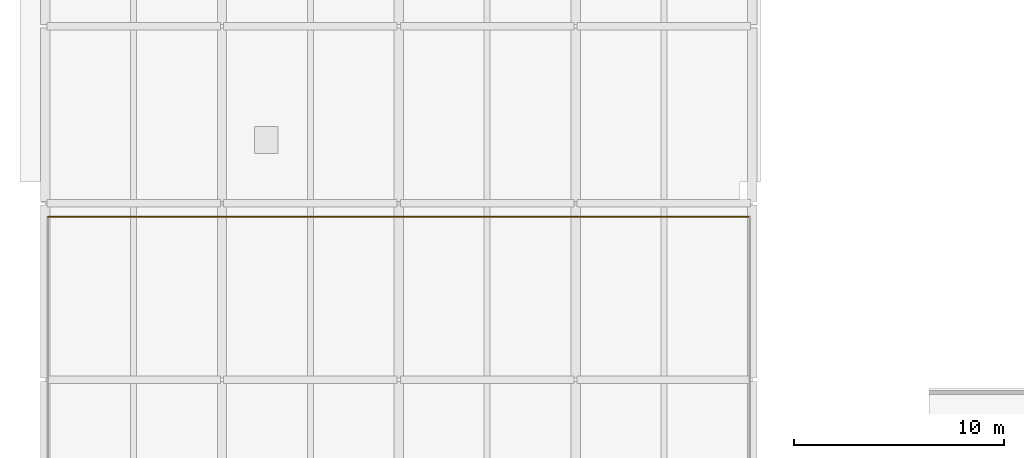
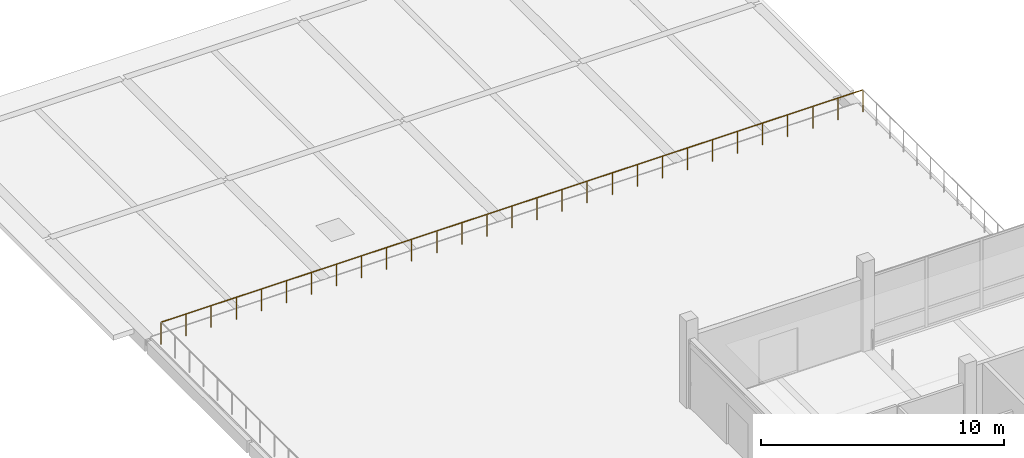
# One storey, part 47 of 59: 1 railing.
"""IFC4 building model written with IfcOpenShell, lengths in metres."""

import ifcopenshell
import ifcopenshell.guid

model = None  # the IFC model being written
_history = None  # IfcOwnerHistory: only IFC2X3 demands one
_inside = {}  # id of a spatial element -> (the spatial element, [elements in it])
_under = {}  # id of a project, library or spatial element -> (it, [spatial elements below it])
_declared = {}  # id of a project -> (the project, [libraries it declares])
_typed = {}  # id of a type object -> (the type object, [elements of that type])
_made_of = {}  # id of a material, layer set ... -> (it, [elements and type objects made of it])


def new_model(schema):
    """Start an empty IFC model of exactly this schema.

    Asked for "IFC4X3", IfcOpenShell would pick the latest addendum, in which some entities
    have other attributes; the version numbers below select the first issue.
    IFC2X3 requires an IfcOwnerHistory on every rooted entity: one is made here for all.
    """
    global model, _history
    if schema == "IFC4X3":
        model = ifcopenshell.file(schema_version=(4, 3, 0, 0))
    else:
        model = ifcopenshell.file(schema=schema)
    _inside.clear()
    _under.clear()
    _declared.clear()
    _typed.clear()
    _made_of.clear()
    _history = None
    if model.schema == "IFC2X3":
        org = make("IfcOrganization", Name="unknown")
        user = make(
            "IfcPersonAndOrganization",
            ThePerson=make("IfcPerson", FamilyName="unknown"),
            TheOrganization=org,
        )
        app = make(
            "IfcApplication",
            ApplicationDeveloper=org,
            Version="unknown",
            ApplicationFullName="unknown",
            ApplicationIdentifier="unknown",
        )
        _history = make(
            "IfcOwnerHistory",
            OwningUser=user,
            OwningApplication=app,
            ChangeAction="ADDED",
            CreationDate=0,
        )
    return model


def make(cls, **values):
    """One entity of the class cls with the attributes given. An attribute that is None is left unset."""
    return model.create_entity(
        cls, **{name: value for name, value in values.items() if value is not None}
    )


def rooted(cls, **values):
    """An entity with a GlobalId (a new one), such as an element, a storey or a relation."""
    return make(cls, GlobalId=ifcopenshell.guid.new(), OwnerHistory=_history, **values)


def si_unit(unit_type, name, prefix=None):
    """IfcSIUnit, for example si_unit("LENGTHUNIT", "METRE", prefix="MILLI")."""
    return make("IfcSIUnit", UnitType=unit_type, Prefix=prefix, Name=name)


def assignment(units):
    """IfcUnitAssignment: the units of a project."""
    return None if units is None else make("IfcUnitAssignment", Units=units)


def point(xyz):
    """IfcCartesianPoint."""
    return None if xyz is None else make("IfcCartesianPoint", Coordinates=xyz)


def direction(xyz):
    """IfcDirection."""
    return None if xyz is None else make("IfcDirection", DirectionRatios=xyz)


def frame(location, z_axis=None, x_axis=None):
    """IfcAxis2Placement3D, a coordinate frame: its origin and axes. An axis left out is left unset."""
    return make(
        "IfcAxis2Placement3D",
        Location=point(location),
        Axis=direction(z_axis),
        RefDirection=direction(x_axis),
    )


def frame_2d(location, x_axis=None):
    """IfcAxis2Placement2D, a coordinate frame in the plane: its origin and x axis."""
    return make(
        "IfcAxis2Placement2D", Location=point(location), RefDirection=direction(x_axis)
    )


def origin():
    """The frame at (0, 0, 0) with its axes left unset."""
    return frame((0.0, 0.0, 0.0))


def origin_2d():
    """The frame at (0, 0) in the plane with its x axis left unset."""
    return frame_2d((0.0, 0.0))


def place(relative_to, where):
    """IfcLocalPlacement: puts the frame where relative to a parent placement (None: the world)."""
    return make(
        "IfcLocalPlacement", PlacementRelTo=relative_to, RelativePlacement=where
    )


def context(
    kind, dimensions, precision=None, world=None, true_north=None, identifier=None
):
    """IfcGeometricRepresentationContext, for example the 3D "Model" context."""
    return make(
        "IfcGeometricRepresentationContext",
        ContextIdentifier=identifier,
        ContextType=kind,
        CoordinateSpaceDimension=dimensions,
        Precision=precision,
        WorldCoordinateSystem=world,
        TrueNorth=true_north,
    )


def subcontext(parent, identifier, kind, view, scale=None):
    """IfcGeometricRepresentationSubContext, for example "Body" below "Model"."""
    return make(
        "IfcGeometricRepresentationSubContext",
        ContextIdentifier=identifier,
        ContextType=kind,
        ParentContext=parent,
        TargetScale=scale,
        TargetView=view,
    )


def project(units=None, contexts=None):
    """IfcProject with its units and contexts."""
    return rooted(
        "IfcProject",
        Name="project",
        RepresentationContexts=contexts,
        UnitsInContext=assignment(units),
    )


def spatial(cls, under=None, at=None, **own):
    """A site, building, storey or space (cls), placed at a placement, below another one or the project."""
    s = rooted(cls, ObjectPlacement=at, **own)
    if under is not None:
        _under.setdefault(under.id(), (under, []))[1].append(s)
    return s


def profile(cls, at=None, kind="AREA", **sizes):
    """A parametric profile (cls). Its sizes go by their IFC names, for example OverallWidth=200.0."""
    return make(cls, ProfileType=kind, Position=at, **sizes)


def circle(**sizes):
    """IfcCircleProfileDef."""
    return profile("IfcCircleProfileDef", **sizes)


def extrude(swept, where, along, depth):
    """IfcExtrudedAreaSolid: the profile swept, set in the frame where, extruded along a direction by depth."""
    return make(
        "IfcExtrudedAreaSolid",
        SweptArea=swept,
        Position=where,
        ExtrudedDirection=direction(along),
        Depth=depth,
    )


def shape(context_of_items, identifier, shape_type, items):
    """IfcShapeRepresentation: the items that make up one representation, for example the "Body"."""
    return make(
        "IfcShapeRepresentation",
        ContextOfItems=context_of_items,
        RepresentationIdentifier=identifier,
        RepresentationType=shape_type,
        Items=items,
    )


def material(Name=None, Category=None):
    """IfcMaterial."""
    return make("IfcMaterial", Name=Name, Category=Category)


def made_of(thing, what):
    """Note that an element or type object is made of a material, layer set ...; save() writes the relation."""
    if what is not None:
        _made_of.setdefault(what.id(), (what, []))[1].append(thing)
    return thing


def type_object(cls, material=None, **own):
    """A type object (cls), such as IfcWallType, which elements share."""
    return made_of(rooted(cls, **own), material)


def element(
    cls,
    number,
    at=None,
    inside=None,
    cuts=None,
    type_object=None,
    material=None,
    context=None,
    identifier="Body",
    shape_type=None,
    held_by="IfcProductDefinitionShape",
    body=None,
    shapes=None,
    **own,
):
    """One element of the class cls, such as IfcWall. Its Tag is "e" and its number.

    at: its placement. inside: the storey or other place that contains it. cuts: it is an
    opening in that element (IfcRelVoidsElement). A single representation is given by context,
    identifier, shape_type and body (its items); several are given by shapes. held_by: the class
    of the entity that holds the representations. save() writes the other relations.
    """
    e = rooted(cls, Tag="e%d" % number, ObjectPlacement=at, **own)
    if body is not None:
        shapes = [shape(context, identifier, shape_type, body)]
    if shapes is not None:
        e.Representation = make(held_by, Representations=shapes)
    if inside is not None:
        _inside.setdefault(inside.id(), (inside, []))[1].append(e)
    if cuts is not None:
        rooted(
            "IfcRelVoidsElement", RelatingBuildingElement=cuts, RelatedOpeningElement=e
        )
    if type_object is not None:
        _typed.setdefault(type_object.id(), (type_object, []))[1].append(e)
    return made_of(e, material)


def aggregate(whole, parts):
    """IfcRelAggregates: a whole, such as a stair, and the parts it consists of."""
    return rooted("IfcRelAggregates", RelatingObject=whole, RelatedObjects=parts)


def save(model, path):
    """Write the relations noted so far, then the file.

    IfcRelAggregates (storeys below a building ...), IfcRelContainedInSpatialStructure (elements
    in a storey), IfcRelDefinesByType, IfcRelAssociatesMaterial and IfcRelDeclares: one each for
    every whole, place, type object, material and project.
    """
    for whole, parts in _under.values():
        aggregate(whole, parts)
    for where, things in _inside.values():
        rooted(
            "IfcRelContainedInSpatialStructure",
            RelatedElements=things,
            RelatingStructure=where,
        )
    for kind, things in _typed.values():
        rooted("IfcRelDefinesByType", RelatedObjects=things, RelatingType=kind)
    for what, things in _made_of.values():
        rooted("IfcRelAssociatesMaterial", RelatedObjects=things, RelatingMaterial=what)
    for by, libraries in _declared.values():
        rooted("IfcRelDeclares", RelatingContext=by, RelatedDefinitions=libraries)
    model.write(path)


model = new_model("IFC4")

# Units and contexts
model_context = context("Model", 3, precision=1e-05, world=origin(), true_north=direction((0.0, 1.0)))
body_context = subcontext(model_context, "Body", "Model", "MODEL_VIEW")
ifc_project = project(units=[si_unit("LENGTHUNIT", "METRE"), si_unit("AREAUNIT", "SQUARE_METRE"), si_unit("VOLUMEUNIT", "CUBIC_METRE"), si_unit("PLANEANGLEUNIT", "RADIAN"), si_unit("MASSUNIT", "GRAM", prefix="KILO")], contexts=[model_context])

# Site, building, storey
site_placement = place(None, origin())
site = spatial("IfcSite", under=ifc_project, at=site_placement, CompositionType="ELEMENT")
building_placement = place(site_placement, origin())
building = spatial("IfcBuilding", under=site, at=building_placement, Name="Telukmera Botanical Conservatory", CompositionType="ELEMENT")
storey_placement = place(building_placement, frame((0.0, 0.0, 15.0)))
storey = spatial("IfcBuildingStorey", under=building, at=storey_placement, Name="L03", CompositionType="ELEMENT", Elevation=15.0)

# Railing
ifc_material = material(Name="Brushed stainless steel grade 316", Category="steel")
railing_type = type_object("IfcRailingType", Name="Exterior Terrace Safety Guardrail 1100", PredefinedType="GUARDRAIL", material=ifc_material)
railing_placement = place(storey_placement, frame((41.8798828125, 57.35009765625, 0.110107421875)))
element("IfcRailing", 1, at=railing_placement, inside=storey, type_object=railing_type, Name="Visitor Planted Terrace Guardrail L03 N", PredefinedType="GUARDRAIL", context=body_context, shape_type="SweptSolid", body=[
    extrude(circle(Radius=0.02392578125, at=origin_2d()), frame((0.0, 0.0, 1.09619140625), z_axis=(-1.0, 0.0, 0.0), x_axis=(0.0, -1.0, 0.0)), (0.0, 0.0, 1.0), 33.35986328125),
    extrude(circle(Radius=0.02099609375, at=origin_2d()), origin(), (0.0, 0.0, 1.0), 1.072021484375),
    extrude(circle(Radius=0.02099609375, at=origin_2d()), frame((-1.19140625, 0.0, 0.0)), (0.0, 0.0, 1.0), 1.072021484375),
    extrude(circle(Radius=0.02099609375, at=origin_2d()), frame((-2.3828125, 0.0, 0.0)), (0.0, 0.0, 1.0), 1.072021484375),
    extrude(circle(Radius=0.02099609375, at=origin_2d()), frame((-3.57421875, 0.0, 0.0)), (0.0, 0.0, 1.0), 1.072021484375),
    extrude(circle(Radius=0.02099609375, at=origin_2d()), frame((-4.765625, 0.0, 0.0)), (0.0, 0.0, 1.0), 1.072021484375),
    extrude(circle(Radius=0.02099609375, at=origin_2d()), frame((-5.95703125, 0.0, 0.0)), (0.0, 0.0, 1.0), 1.072021484375),
    extrude(circle(Radius=0.02099609375, at=origin_2d()), frame((-7.1484375, 0.0, 0.0)), (0.0, 0.0, 1.0), 1.072021484375),
    extrude(circle(Radius=0.02099609375, at=origin_2d()), frame((-8.33984375, 0.0, 0.0)), (0.0, 0.0, 1.0), 1.072021484375),
    extrude(circle(Radius=0.02099609375, at=origin_2d()), frame((-9.531494140625, 0.0, 0.0)), (0.0, 0.0, 1.0), 1.072021484375),
    extrude(circle(Radius=0.02099609375, at=origin_2d()), frame((-10.722900390625, 0.0, 0.0)), (0.0, 0.0, 1.0), 1.072021484375),
    extrude(circle(Radius=0.02099609375, at=origin_2d()), frame((-11.914306640625, 0.0, 0.0)), (0.0, 0.0, 1.0), 1.072021484375),
    extrude(circle(Radius=0.02099609375, at=origin_2d()), frame((-13.105712890625, 0.0, 0.0)), (0.0, 0.0, 1.0), 1.072021484375),
    extrude(circle(Radius=0.02099609375, at=origin_2d()), frame((-14.297119140625, 0.0, 0.0)), (0.0, 0.0, 1.0), 1.072021484375),
    extrude(circle(Radius=0.02099609375, at=origin_2d()), frame((-15.488525390625, 0.0, 0.0)), (0.0, 0.0, 1.0), 1.072021484375),
    extrude(circle(Radius=0.02099609375, at=origin_2d()), frame((-16.679931640625, 0.0, 0.0)), (0.0, 0.0, 1.0), 1.072021484375),
    extrude(circle(Radius=0.02099609375, at=origin_2d()), frame((-17.871337890625, 0.0, 0.0)), (0.0, 0.0, 1.0), 1.072021484375),
    extrude(circle(Radius=0.02099609375, at=origin_2d()), frame((-19.062744140625, 0.0, 0.0)), (0.0, 0.0, 1.0), 1.072021484375),
    extrude(circle(Radius=0.02099609375, at=origin_2d()), frame((-20.254150390625, 0.0, 0.0)), (0.0, 0.0, 1.0), 1.072021484375),
    extrude(circle(Radius=0.02099609375, at=origin_2d()), frame((-21.445556640625, 0.0, 0.0)), (0.0, 0.0, 1.0), 1.072021484375),
    extrude(circle(Radius=0.02099609375, at=origin_2d()), frame((-22.636962890625, 0.0, 0.0)), (0.0, 0.0, 1.0), 1.072021484375),
    extrude(circle(Radius=0.02099609375, at=origin_2d()), frame((-23.828369140625, 0.0, 0.0)), (0.0, 0.0, 1.0), 1.072021484375),
    extrude(circle(Radius=0.02099609375, at=origin_2d()), frame((-25.02001953125, 0.0, 0.0)), (0.0, 0.0, 1.0), 1.072021484375),
    extrude(circle(Radius=0.02099609375, at=origin_2d()), frame((-26.21142578125, 0.0, 0.0)), (0.0, 0.0, 1.0), 1.072021484375),
    extrude(circle(Radius=0.02099609375, at=origin_2d()), frame((-27.40283203125, 0.0, 0.0)), (0.0, 0.0, 1.0), 1.072021484375),
    extrude(circle(Radius=0.02099609375, at=origin_2d()), frame((-28.59423828125, 0.0, 0.0)), (0.0, 0.0, 1.0), 1.072021484375),
    extrude(circle(Radius=0.02099609375, at=origin_2d()), frame((-29.78564453125, 0.0, 0.0)), (0.0, 0.0, 1.0), 1.072021484375),
    extrude(circle(Radius=0.02099609375, at=origin_2d()), frame((-30.97705078125, 0.0, 0.0)), (0.0, 0.0, 1.0), 1.072021484375),
    extrude(circle(Radius=0.02099609375, at=origin_2d()), frame((-32.16845703125, 0.0, 0.0)), (0.0, 0.0, 1.0), 1.072021484375),
    extrude(circle(Radius=0.02099609375, at=origin_2d()), frame((-33.35986328125, 0.0, 0.0)), (0.0, 0.0, 1.0), 1.072021484375),
])

save(model, "model.ifc")
